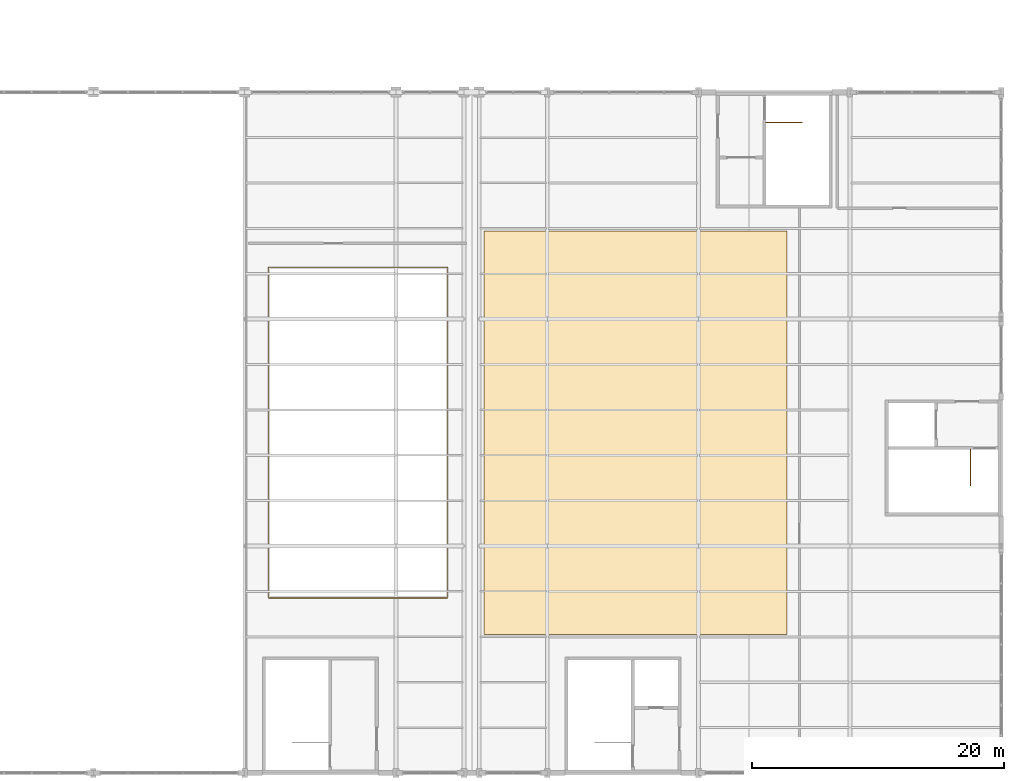
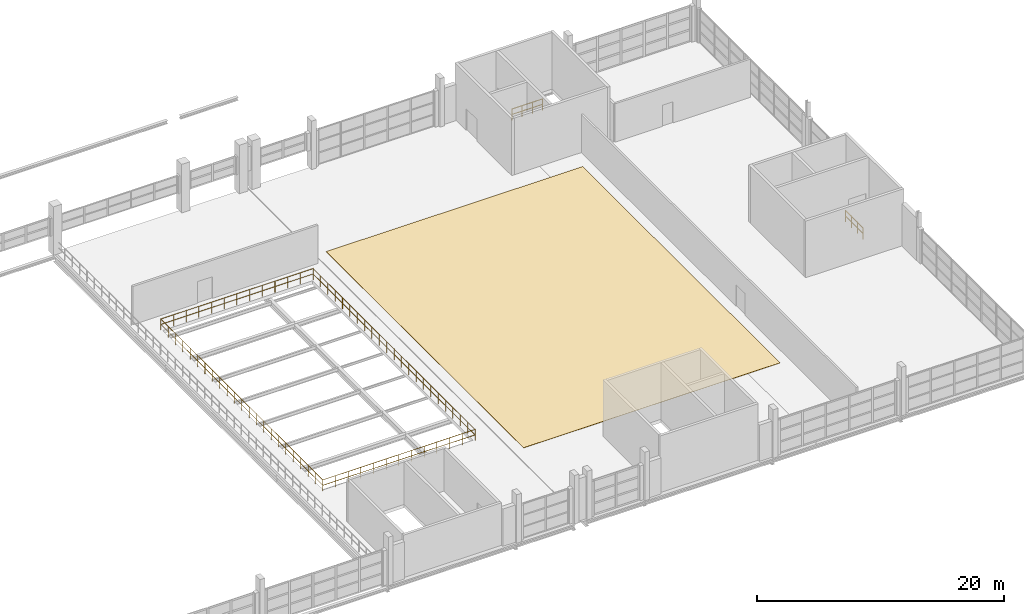
# One storey, part 86 of 86: 3 railings, 1 covering.
"""IFC4 building model written with IfcOpenShell, lengths in metres."""

from ifc_helpers import new_model, si_unit, direction, frame, origin, origin_2d, place, context, subcontext, project, spatial, polyline, circle, outline, extrude, material, layer, layer_set, type_object, element, save


model = new_model("IFC4")

# Units and contexts
model_context = context("Model", 3, precision=1e-05, world=origin(), true_north=direction((0.0, 1.0)))
body_context = subcontext(model_context, "Body", "Model", "MODEL_VIEW")
ifc_project = project(units=[si_unit("LENGTHUNIT", "METRE"), si_unit("AREAUNIT", "SQUARE_METRE"), si_unit("VOLUMEUNIT", "CUBIC_METRE"), si_unit("PLANEANGLEUNIT", "RADIAN"), si_unit("MASSUNIT", "GRAM", prefix="KILO")], contexts=[model_context])

# Site, building, storey
site_placement = place(None, origin())
site = spatial("IfcSite", under=ifc_project, at=site_placement, CompositionType="ELEMENT")
building_placement = place(site_placement, origin())
building = spatial("IfcBuilding", under=site, at=building_placement, Name="Zilviju Railside Exhibition Hall", CompositionType="ELEMENT")
storey_placement = place(building_placement, frame((0.0, 0.0, 12.60009765625)))
storey = spatial("IfcBuildingStorey", under=building, at=storey_placement, Name="L04", CompositionType="ELEMENT", Elevation=12.60009765625)

# Covering
ifc_material_1 = material(Name="Polished Baltic terrazzo concourse flooring", Category="masonry")
ifc_layer = layer(ifc_material_1, 0.02490234375)
ifc_layer_set = layer_set([ifc_layer], Name="Polished Baltic terrazzo concourse flooring")
covering_type = type_object("IfcCoveringType", Name="COV-FLR-TERRAZZO", PredefinedType="FLOORING", material=ifc_layer_set)
covering_placement = place(storey_placement, origin())
element("IfcCovering", 1, at=covering_placement, inside=storey, type_object=covering_type, Name="VIP Club Lounge Terrazzo Flooring", PredefinedType="FLOORING", context=body_context, shape_type="SweptSolid", body=[
    extrude(outline(polyline([(175.0, 95.0), (199.0, 95.0), (199.0, 127.0), (175.0, 127.0), (175.0, 95.0)])), origin(), (0.0, 0.0, 1.0), 0.02490234375),
])

# Railings
ifc_material_2 = material(Name="Wrought-iron and laminated-glass atrium guardrail", Category="glass")
railing_type = type_object("IfcRailingType", Name="RL-INT-GUARD-1120", PredefinedType="GUARDRAIL", material=ifc_material_2)
railing_1_placement = place(storey_placement, frame((200.199951171875, 135.580078125, 0.0)))
element("IfcRailing", 2, at=railing_1_placement, inside=storey, type_object=railing_type, Name="Core C08 North Hall Rail East Top-Landing Well Guardrail L04", PredefinedType="GUARDRAIL", context=body_context, shape_type="SweptSolid", body=[
    extrude(circle(Radius=0.02392578125, at=origin_2d()), frame((-0.021728515625, 0.0, 1.09619140625), z_axis=(-1.0, 0.0, 0.0), x_axis=(0.0, -1.0, 0.0)), (0.0, 0.0, 1.0), 2.80615234375),
    extrude(circle(Radius=0.02392578125, at=origin_2d()), frame((-0.021728515625, 0.0, 0.56005859375), z_axis=(-1.0, 0.0, 0.0), x_axis=(0.0, -1.0, 0.0)), (0.0, 0.0, 1.0), 2.80615234375),
    extrude(circle(Radius=0.02099609375, at=origin_2d()), origin(), (0.0, 0.0, 1.0), 1.1201171875),
    extrude(circle(Radius=0.02099609375, at=origin_2d()), frame((-0.949951171875, 0.0, 0.0)), (0.0, 0.0, 1.0), 1.1201171875),
    extrude(circle(Radius=0.02099609375, at=origin_2d()), frame((-1.89990234375, 0.0, 0.0)), (0.0, 0.0, 1.0), 1.1201171875),
    extrude(circle(Radius=0.02099609375, at=origin_2d()), frame((-2.849853515625, 0.0, 0.0)), (0.0, 0.0, 1.0), 1.1201171875),
])
railing_2_placement = place(storey_placement, frame((213.580078125, 106.800048828125, 0.0)))
element("IfcRailing", 3, at=railing_2_placement, inside=storey, type_object=railing_type, Name="Core C09 North Hall Gable East Top-Landing Well Guardrail L04", PredefinedType="GUARDRAIL", context=body_context, shape_type="SweptSolid", body=[
    extrude(circle(Radius=0.02392578125, at=origin_2d()), frame((0.0, 0.021728515625, 1.09619140625), z_axis=(0.0, 1.0, 0.0), x_axis=(-1.0, 0.0, 0.0)), (0.0, 0.0, 1.0), 2.80615234375),
    extrude(circle(Radius=0.02392578125, at=origin_2d()), frame((0.0, 0.021728515625, 0.56005859375), z_axis=(0.0, 1.0, 0.0), x_axis=(-1.0, 0.0, 0.0)), (0.0, 0.0, 1.0), 2.80615234375),
    extrude(circle(Radius=0.02099609375, at=origin_2d()), origin(), (0.0, 0.0, 1.0), 1.1201171875),
    extrude(circle(Radius=0.02099609375, at=origin_2d()), frame((0.0, 0.949951171875, 0.0)), (0.0, 0.0, 1.0), 1.1201171875),
    extrude(circle(Radius=0.02099609375, at=origin_2d()), frame((0.0, 1.89990234375, 0.0)), (0.0, 0.0, 1.0), 1.1201171875),
    extrude(circle(Radius=0.02099609375, at=origin_2d()), frame((0.0, 2.849853515625, 0.0)), (0.0, 0.0, 1.0), 1.1201171875),
])
railing_3_placement = place(storey_placement, frame((157.8798828125, 97.8798828125, 0.0)))
element("IfcRailing", 4, at=railing_3_placement, inside=storey, type_object=railing_type, Name="Interior Atrium & Gallery Guardrail V2-VIP-HOLE", PredefinedType="GUARDRAIL", context=body_context, shape_type="SweptSolid", body=[
    extrude(circle(Radius=0.02392578125, at=origin_2d()), frame((0.021728515625, 0.0, 1.09619140625), z_axis=(1.0, 0.0, 0.0), x_axis=(0.0, 1.0, 0.0)), (0.0, 0.0, 1.0), 14.196533203125),
    extrude(circle(Radius=0.02392578125, at=origin_2d()), frame((0.021728515625, 0.0, 0.56005859375), z_axis=(1.0, 0.0, 0.0), x_axis=(0.0, 1.0, 0.0)), (0.0, 0.0, 1.0), 14.196533203125),
    extrude(circle(Radius=0.02392578125, at=origin_2d()), frame((14.240234375, 0.021728515625, 1.09619140625), z_axis=(0.0, 1.0, 0.0), x_axis=(-1.0, 0.0, 0.0)), (0.0, 0.0, 1.0), 26.196533203125),
    extrude(circle(Radius=0.02392578125, at=origin_2d()), frame((14.240234375, 0.021728515625, 0.56005859375), z_axis=(0.0, 1.0, 0.0), x_axis=(-1.0, 0.0, 0.0)), (0.0, 0.0, 1.0), 26.196533203125),
    extrude(circle(Radius=0.02392578125, at=origin_2d()), frame((14.218505859375, 26.240234375, 1.09619140625), z_axis=(-1.0, 0.0, 0.0), x_axis=(0.0, -1.0, 0.0)), (0.0, 0.0, 1.0), 14.196533203125),
    extrude(circle(Radius=0.02392578125, at=origin_2d()), frame((14.218505859375, 26.240234375, 0.56005859375), z_axis=(-1.0, 0.0, 0.0), x_axis=(0.0, -1.0, 0.0)), (0.0, 0.0, 1.0), 14.196533203125),
    extrude(circle(Radius=0.02392578125, at=origin_2d()), frame((0.0, 26.218505859375, 1.09619140625), z_axis=(0.0, -1.0, 0.0), x_axis=(1.0, 0.0, 0.0)), (0.0, 0.0, 1.0), 26.196533203125),
    extrude(circle(Radius=0.02392578125, at=origin_2d()), frame((0.0, 26.218505859375, 0.56005859375), z_axis=(0.0, -1.0, 0.0), x_axis=(1.0, 0.0, 0.0)), (0.0, 0.0, 1.0), 26.196533203125),
    extrude(circle(Radius=0.02099609375, at=origin_2d()), origin(), (0.0, 0.0, 1.0), 1.1201171875),
    extrude(circle(Radius=0.02099609375, at=origin_2d()), frame((1.186767578125, 0.0, 0.0)), (0.0, 0.0, 1.0), 1.1201171875),
    extrude(circle(Radius=0.02099609375, at=origin_2d()), frame((2.373291015625, 0.0, 0.0)), (0.0, 0.0, 1.0), 1.1201171875),
    extrude(circle(Radius=0.02099609375, at=origin_2d()), frame((3.56005859375, 0.0, 0.0)), (0.0, 0.0, 1.0), 1.1201171875),
    extrude(circle(Radius=0.02099609375, at=origin_2d()), frame((4.746826171875, 0.0, 0.0)), (0.0, 0.0, 1.0), 1.1201171875),
    extrude(circle(Radius=0.02099609375, at=origin_2d()), frame((5.933349609375, 0.0, 0.0)), (0.0, 0.0, 1.0), 1.1201171875),
    extrude(circle(Radius=0.02099609375, at=origin_2d()), frame((7.1201171875, 0.0, 0.0)), (0.0, 0.0, 1.0), 1.1201171875),
    extrude(circle(Radius=0.02099609375, at=origin_2d()), frame((8.306884765625, 0.0, 0.0)), (0.0, 0.0, 1.0), 1.1201171875),
    extrude(circle(Radius=0.02099609375, at=origin_2d()), frame((9.493408203125, 0.0, 0.0)), (0.0, 0.0, 1.0), 1.1201171875),
    extrude(circle(Radius=0.02099609375, at=origin_2d()), frame((10.68017578125, 0.0, 0.0)), (0.0, 0.0, 1.0), 1.1201171875),
    extrude(circle(Radius=0.02099609375, at=origin_2d()), frame((11.866943359375, 0.0, 0.0)), (0.0, 0.0, 1.0), 1.1201171875),
    extrude(circle(Radius=0.02099609375, at=origin_2d()), frame((13.053466796875, 0.0, 0.0)), (0.0, 0.0, 1.0), 1.1201171875),
    extrude(circle(Radius=0.02099609375, at=origin_2d()), frame((14.240234375, 0.0, 0.0)), (0.0, 0.0, 1.0), 1.1201171875),
    extrude(circle(Radius=0.02099609375, at=origin_2d()), frame((14.240234375, 1.192626953125, 0.0)), (0.0, 0.0, 1.0), 1.1201171875),
    extrude(circle(Radius=0.02099609375, at=origin_2d()), frame((14.240234375, 2.385498046875, 0.0)), (0.0, 0.0, 1.0), 1.1201171875),
    extrude(circle(Radius=0.02099609375, at=origin_2d()), frame((14.240234375, 3.578125, 0.0)), (0.0, 0.0, 1.0), 1.1201171875),
    extrude(circle(Radius=0.02099609375, at=origin_2d()), frame((14.240234375, 4.77099609375, 0.0)), (0.0, 0.0, 1.0), 1.1201171875),
    extrude(circle(Radius=0.02099609375, at=origin_2d()), frame((14.240234375, 5.963623046875, 0.0)), (0.0, 0.0, 1.0), 1.1201171875),
    extrude(circle(Radius=0.02099609375, at=origin_2d()), frame((14.240234375, 7.156494140625, 0.0)), (0.0, 0.0, 1.0), 1.1201171875),
    extrude(circle(Radius=0.02099609375, at=origin_2d()), frame((14.240234375, 8.34912109375, 0.0)), (0.0, 0.0, 1.0), 1.1201171875),
    extrude(circle(Radius=0.02099609375, at=origin_2d()), frame((14.240234375, 9.5419921875, 0.0)), (0.0, 0.0, 1.0), 1.1201171875),
    extrude(circle(Radius=0.02099609375, at=origin_2d()), frame((14.240234375, 10.734619140625, 0.0)), (0.0, 0.0, 1.0), 1.1201171875),
    extrude(circle(Radius=0.02099609375, at=origin_2d()), frame((14.240234375, 11.927490234375, 0.0)), (0.0, 0.0, 1.0), 1.1201171875),
    extrude(circle(Radius=0.02099609375, at=origin_2d()), frame((14.240234375, 13.1201171875, 0.0)), (0.0, 0.0, 1.0), 1.1201171875),
    extrude(circle(Radius=0.02099609375, at=origin_2d()), frame((14.240234375, 14.312744140625, 0.0)), (0.0, 0.0, 1.0), 1.1201171875),
    extrude(circle(Radius=0.02099609375, at=origin_2d()), frame((14.240234375, 15.505615234375, 0.0)), (0.0, 0.0, 1.0), 1.1201171875),
    extrude(circle(Radius=0.02099609375, at=origin_2d()), frame((14.240234375, 16.6982421875, 0.0)), (0.0, 0.0, 1.0), 1.1201171875),
    extrude(circle(Radius=0.02099609375, at=origin_2d()), frame((14.240234375, 17.89111328125, 0.0)), (0.0, 0.0, 1.0), 1.1201171875),
    extrude(circle(Radius=0.02099609375, at=origin_2d()), frame((14.240234375, 19.083740234375, 0.0)), (0.0, 0.0, 1.0), 1.1201171875),
    extrude(circle(Radius=0.02099609375, at=origin_2d()), frame((14.240234375, 20.276611328125, 0.0)), (0.0, 0.0, 1.0), 1.1201171875),
    extrude(circle(Radius=0.02099609375, at=origin_2d()), frame((14.240234375, 21.46923828125, 0.0)), (0.0, 0.0, 1.0), 1.1201171875),
    extrude(circle(Radius=0.02099609375, at=origin_2d()), frame((14.240234375, 22.662109375, 0.0)), (0.0, 0.0, 1.0), 1.1201171875),
    extrude(circle(Radius=0.02099609375, at=origin_2d()), frame((14.240234375, 23.854736328125, 0.0)), (0.0, 0.0, 1.0), 1.1201171875),
    extrude(circle(Radius=0.02099609375, at=origin_2d()), frame((14.240234375, 25.047607421875, 0.0)), (0.0, 0.0, 1.0), 1.1201171875),
    extrude(circle(Radius=0.02099609375, at=origin_2d()), frame((14.240234375, 26.240234375, 0.0)), (0.0, 0.0, 1.0), 1.1201171875),
    extrude(circle(Radius=0.02099609375, at=origin_2d()), frame((13.053466796875, 26.240234375, 0.0)), (0.0, 0.0, 1.0), 1.1201171875),
    extrude(circle(Radius=0.02099609375, at=origin_2d()), frame((11.866943359375, 26.240234375, 0.0)), (0.0, 0.0, 1.0), 1.1201171875),
    extrude(circle(Radius=0.02099609375, at=origin_2d()), frame((10.68017578125, 26.240234375, 0.0)), (0.0, 0.0, 1.0), 1.1201171875),
    extrude(circle(Radius=0.02099609375, at=origin_2d()), frame((9.493408203125, 26.240234375, 0.0)), (0.0, 0.0, 1.0), 1.1201171875),
    extrude(circle(Radius=0.02099609375, at=origin_2d()), frame((8.306884765625, 26.240234375, 0.0)), (0.0, 0.0, 1.0), 1.1201171875),
    extrude(circle(Radius=0.02099609375, at=origin_2d()), frame((7.1201171875, 26.240234375, 0.0)), (0.0, 0.0, 1.0), 1.1201171875),
    extrude(circle(Radius=0.02099609375, at=origin_2d()), frame((5.933349609375, 26.240234375, 0.0)), (0.0, 0.0, 1.0), 1.1201171875),
    extrude(circle(Radius=0.02099609375, at=origin_2d()), frame((4.746826171875, 26.240234375, 0.0)), (0.0, 0.0, 1.0), 1.1201171875),
    extrude(circle(Radius=0.02099609375, at=origin_2d()), frame((3.56005859375, 26.240234375, 0.0)), (0.0, 0.0, 1.0), 1.1201171875),
    extrude(circle(Radius=0.02099609375, at=origin_2d()), frame((2.373291015625, 26.240234375, 0.0)), (0.0, 0.0, 1.0), 1.1201171875),
    extrude(circle(Radius=0.02099609375, at=origin_2d()), frame((1.186767578125, 26.240234375, 0.0)), (0.0, 0.0, 1.0), 1.1201171875),
    extrude(circle(Radius=0.02099609375, at=origin_2d()), frame((0.0, 26.240234375, 0.0)), (0.0, 0.0, 1.0), 1.1201171875),
    extrude(circle(Radius=0.02099609375, at=origin_2d()), frame((0.0, 25.047607421875, 0.0)), (0.0, 0.0, 1.0), 1.1201171875),
    extrude(circle(Radius=0.02099609375, at=origin_2d()), frame((0.0, 23.854736328125, 0.0)), (0.0, 0.0, 1.0), 1.1201171875),
    extrude(circle(Radius=0.02099609375, at=origin_2d()), frame((0.0, 22.662109375, 0.0)), (0.0, 0.0, 1.0), 1.1201171875),
    extrude(circle(Radius=0.02099609375, at=origin_2d()), frame((0.0, 21.46923828125, 0.0)), (0.0, 0.0, 1.0), 1.1201171875),
    extrude(circle(Radius=0.02099609375, at=origin_2d()), frame((0.0, 20.276611328125, 0.0)), (0.0, 0.0, 1.0), 1.1201171875),
    extrude(circle(Radius=0.02099609375, at=origin_2d()), frame((0.0, 19.083740234375, 0.0)), (0.0, 0.0, 1.0), 1.1201171875),
    extrude(circle(Radius=0.02099609375, at=origin_2d()), frame((0.0, 17.89111328125, 0.0)), (0.0, 0.0, 1.0), 1.1201171875),
    extrude(circle(Radius=0.02099609375, at=origin_2d()), frame((0.0, 16.6982421875, 0.0)), (0.0, 0.0, 1.0), 1.1201171875),
    extrude(circle(Radius=0.02099609375, at=origin_2d()), frame((0.0, 15.505615234375, 0.0)), (0.0, 0.0, 1.0), 1.1201171875),
    extrude(circle(Radius=0.02099609375, at=origin_2d()), frame((0.0, 14.312744140625, 0.0)), (0.0, 0.0, 1.0), 1.1201171875),
    extrude(circle(Radius=0.02099609375, at=origin_2d()), frame((0.0, 13.1201171875, 0.0)), (0.0, 0.0, 1.0), 1.1201171875),
    extrude(circle(Radius=0.02099609375, at=origin_2d()), frame((0.0, 11.927490234375, 0.0)), (0.0, 0.0, 1.0), 1.1201171875),
    extrude(circle(Radius=0.02099609375, at=origin_2d()), frame((0.0, 10.734619140625, 0.0)), (0.0, 0.0, 1.0), 1.1201171875),
    extrude(circle(Radius=0.02099609375, at=origin_2d()), frame((0.0, 9.5419921875, 0.0)), (0.0, 0.0, 1.0), 1.1201171875),
    extrude(circle(Radius=0.02099609375, at=origin_2d()), frame((0.0, 8.34912109375, 0.0)), (0.0, 0.0, 1.0), 1.1201171875),
    extrude(circle(Radius=0.02099609375, at=origin_2d()), frame((0.0, 7.156494140625, 0.0)), (0.0, 0.0, 1.0), 1.1201171875),
    extrude(circle(Radius=0.02099609375, at=origin_2d()), frame((0.0, 5.963623046875, 0.0)), (0.0, 0.0, 1.0), 1.1201171875),
    extrude(circle(Radius=0.02099609375, at=origin_2d()), frame((0.0, 4.77099609375, 0.0)), (0.0, 0.0, 1.0), 1.1201171875),
    extrude(circle(Radius=0.02099609375, at=origin_2d()), frame((0.0, 3.578125, 0.0)), (0.0, 0.0, 1.0), 1.1201171875),
    extrude(circle(Radius=0.02099609375, at=origin_2d()), frame((0.0, 2.385498046875, 0.0)), (0.0, 0.0, 1.0), 1.1201171875),
    extrude(circle(Radius=0.02099609375, at=origin_2d()), frame((0.0, 1.192626953125, 0.0)), (0.0, 0.0, 1.0), 1.1201171875),
])

save(model, "model.ifc")
